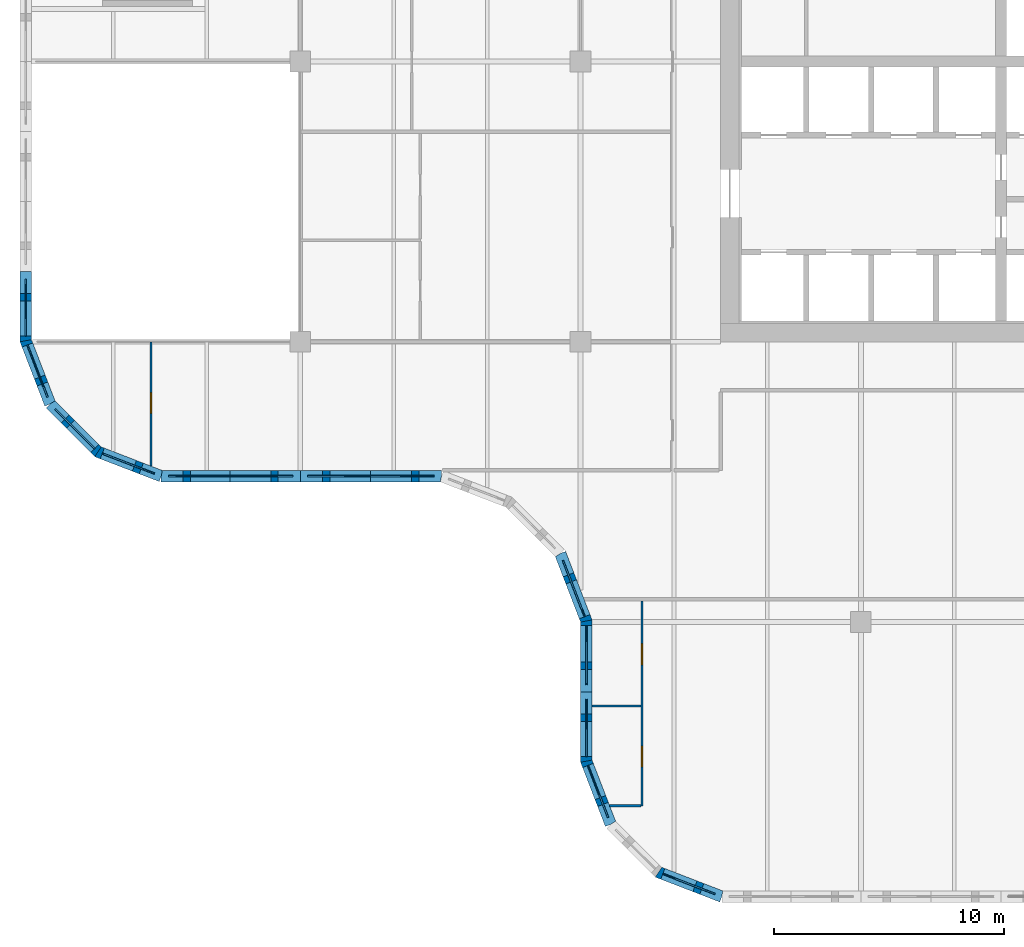
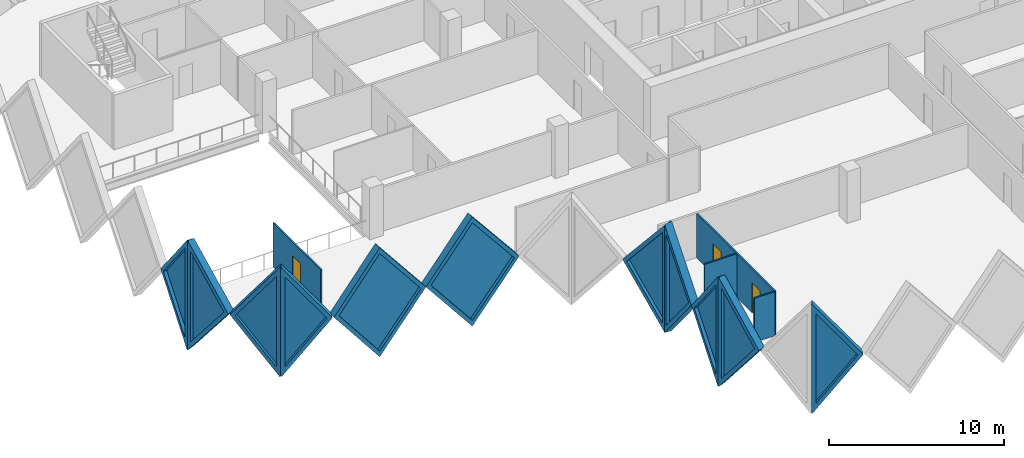
# One storey, part 4 of 19: 15 walls, 11 plates, 3 doors, 14 openings.
"""IFC4 building model written with IfcOpenShell, lengths in metres."""

from ifc_helpers import new_model, si_unit, direction, frame, frame_2d, origin, place, context, subcontext, project, spatial, polyline, rectangle, outline, extrude, faceted_brep, source, transform, mapped, material, layer, layer_set, type_object, element, fill, save


model = new_model("IFC4")

# Units and contexts
model_context = context("Model", 3, precision=1e-05, world=origin(), true_north=direction((0.0, 1.0)))
body_context = subcontext(model_context, "Body", "Model", "MODEL_VIEW")
ifc_project = project(units=[si_unit("LENGTHUNIT", "METRE"), si_unit("AREAUNIT", "SQUARE_METRE"), si_unit("VOLUMEUNIT", "CUBIC_METRE"), si_unit("PLANEANGLEUNIT", "RADIAN"), si_unit("MASSUNIT", "GRAM", prefix="KILO")], contexts=[model_context])

# Site, building, storey
site_placement = place(None, origin())
site = spatial("IfcSite", under=ifc_project, at=site_placement, CompositionType="ELEMENT")
building_placement = place(site_placement, origin())
building = spatial("IfcBuilding", under=site, at=building_placement, Name="Tessera Gate Towers", CompositionType="ELEMENT")
storey_placement = place(building_placement, frame((0.0, 0.0, 72.39990234375)))
storey = spatial("IfcBuildingStorey", under=building, at=storey_placement, Name="L17", CompositionType="ELEMENT", Elevation=72.39990234375)

# Wall, opening, door
ifc_material_1 = material(Name="Glass", Category="glass")
ifc_layer_1 = layer(ifc_material_1, 0.10009765625)
ifc_layer_set_1 = layer_set([ifc_layer_1], Name="GLAZED PARTITION 100")
wall_type_1 = type_object("IfcWallType", Name="GLAZED PARTITION 100", PredefinedType="PARTITIONING", material=ifc_layer_set_1)
wall_1_placement = place(storey_placement, frame((5.699951171875, 18.990234375, 0.0), z_axis=(0.0, 0.0, 1.0), x_axis=(0.0, 1.0, 0.0)))
wall_1 = element("IfcWall", 1, at=wall_1_placement, inside=storey, type_object=wall_type_1, Name="T1-L17-PW-021", PredefinedType="PARTITIONING", context=body_context, shape_type="SweptSolid", body=[
    extrude(rectangle(XDim=5.40966796875, YDim=0.10009765625, at=frame_2d((2.704833984375, 0.0))), origin(), (0.0, 0.0, 1.0), 3.067138671875),
])
shared_shape_1 = source(origin(), body_context, "Body", "SweptSolid", [
    extrude(rectangle(XDim=0.89990234375, YDim=2.10009765625, at=frame_2d((0.449951171875, 1.050048828125))), frame((0.0, 0.06005859375, 0.0), z_axis=(0.0, -1.0, 0.0), x_axis=(1.0, 0.0, 0.0)), (0.0, 0.0, 1.0), 0.1201171875),
])
opening_1_placement = place(wall_1_placement, frame((2.300048828125, 0.0, 0.0)))
opening_1 = element("IfcOpeningElement", 2, at=opening_1_placement, cuts=wall_1, Name="Opening D690-A06-05", PredefinedType="OPENING", context=body_context, shape_type="MappedRepresentation", body=[
    mapped(shared_shape_1, transform((0.0, 0.0, 0.0), scale=1.0)),
])
ifc_material_2 = material(Name="Glass in aluminium frame", Category="aluminium")
door_type_1 = type_object("IfcDoorType", Name="GLAZED DOOR 900 NOT RATED", OperationType="NOTDEFINED", PredefinedType="DOOR", material=ifc_material_2)
shared_shape_2 = source(origin(), body_context, "Body", "SweptSolid", [
    extrude(rectangle(XDim=0.89990234375, YDim=2.10009765625, at=frame_2d((0.449951171875, 1.050048828125))), frame((0.0, 0.02490234375, 0.0), z_axis=(0.0, -1.0, 0.0), x_axis=(1.0, 0.0, 0.0)), (0.0, 0.0, 1.0), 0.050048828125),
])
door_1_placement = place(opening_1_placement, origin())
door_1 = element("IfcDoor", 3, at=door_1_placement, inside=storey, type_object=door_type_1, Name="T1-L17-PD-013", OperationType="SINGLE_SWING_LEFT", OverallHeight=2.10009765625, OverallWidth=0.89990234375, PredefinedType="DOOR", context=body_context, shape_type="MappedRepresentation", body=[
    mapped(shared_shape_2, transform((0.0, 0.0, 0.0), scale=1.0)),
])
fill(opening_1, door_1)

# Wall
ifc_material_3 = material(Name="Gypsum board on steel studs", Category="steel")
ifc_layer_2 = layer(ifc_material_3, 0.10009765625)
ifc_layer_set_2 = layer_set([ifc_layer_2], Name="PARTITION 100")
wall_type_2 = type_object("IfcWallType", Name="PARTITION 100", PredefinedType="PARTITIONING", material=ifc_layer_set_2)
wall_2_placement = place(storey_placement, frame((25.668701171875, 4.199951171875, 0.0), z_axis=(0.0, 0.0, 1.0), x_axis=(1.0, 0.0, 0.0)))
element("IfcWall", 4, at=wall_2_placement, inside=storey, type_object=wall_type_2, Name="T1-L17-PW-003", PredefinedType="PARTITIONING", context=body_context, shape_type="SweptSolid", body=[
    extrude(rectangle(XDim=1.355224609375, YDim=0.10009765625, at=frame_2d((0.677734375, 0.0))), origin(), (0.0, 0.0, 1.0), 3.067138671875),
])

# Wall, openings, doors
wall_3_placement = place(storey_placement, frame((27.074951171875, 4.199951171875, 0.0), z_axis=(0.0, 0.0, 1.0), x_axis=(0.0, 1.0, 0.0)))
wall_3 = element("IfcWall", 5, at=wall_3_placement, inside=storey, type_object=wall_type_2, Name="T1-L17-PW-004", PredefinedType="PARTITIONING", context=body_context, shape_type="SweptSolid", body=[
    extrude(rectangle(XDim=8.924072265625, YDim=0.10009765625, at=frame_2d((4.4619140625, 0.0))), origin(), (0.0, 0.0, 1.0), 3.067138671875),
])
opening_2_placement = place(wall_3_placement, frame((6.147705078125, 0.0, 0.0)))
opening_2 = element("IfcOpeningElement", 6, at=opening_2_placement, cuts=wall_3, Name="Opening D190-A06-04", PredefinedType="OPENING", context=body_context, shape_type="MappedRepresentation", body=[
    mapped(shared_shape_1, transform((0.0, 0.0, 0.0), scale=1.0)),
])
opening_3_placement = place(wall_3_placement, frame((1.699951171875, 0.0, 0.0)))
opening_3 = element("IfcOpeningElement", 7, at=opening_3_placement, cuts=wall_3, Name="Opening D190-A06-06", PredefinedType="OPENING", context=body_context, shape_type="MappedRepresentation", body=[
    mapped(shared_shape_1, transform((0.0, 0.0, 0.0), scale=1.0)),
])
ifc_material_4 = material(Name="Timber door leaf in steel frame", Category="steel")
door_type_2 = type_object("IfcDoorType", Name="INTERNAL DOOR 900 NOT RATED", OperationType="NOTDEFINED", PredefinedType="DOOR", material=ifc_material_4)
door_2_placement = place(opening_2_placement, origin())
door_2 = element("IfcDoor", 8, at=door_2_placement, inside=storey, type_object=door_type_2, Name="T1-L17-PD-007", OperationType="SINGLE_SWING_LEFT", OverallHeight=2.10009765625, OverallWidth=0.89990234375, PredefinedType="DOOR", context=body_context, shape_type="MappedRepresentation", body=[
    mapped(shared_shape_2, transform((0.0, 0.0, 0.0), scale=1.0)),
])
fill(opening_2, door_2)
door_3_placement = place(opening_3_placement, origin())
door_3 = element("IfcDoor", 9, at=door_3_placement, inside=storey, type_object=door_type_2, Name="T1-L17-PD-014", OperationType="SINGLE_SWING_LEFT", OverallHeight=2.10009765625, OverallWidth=0.89990234375, PredefinedType="DOOR", context=body_context, shape_type="MappedRepresentation", body=[
    mapped(shared_shape_2, transform((0.0, 0.0, 0.0), scale=1.0)),
])
fill(opening_3, door_3)

# Wall
wall_4_placement = place(storey_placement, frame((24.89990234375, 8.548095703125, 0.0), z_axis=(0.0, 0.0, 1.0), x_axis=(1.0, 0.0, 0.0)))
element("IfcWall", 10, at=wall_4_placement, inside=storey, type_object=wall_type_2, Name="T1-L17-PW-008", PredefinedType="PARTITIONING", context=body_context, shape_type="SweptSolid", body=[
    extrude(rectangle(XDim=2.1240234375, YDim=0.10009765625, at=frame_2d((1.06201171875, 0.0))), origin(), (0.0, 0.0, 1.0), 3.067138671875),
])

# Wall, opening, plate
ifc_material_5 = material(Name="Precast concrete C60/75 white", Category="concrete")
ifc_layer_3 = layer(ifc_material_5, 0.5)
ifc_layer_set_3 = layer_set([ifc_layer_3], Name="TS3 corner tessera")
wall_type_3 = type_object("IfcWallType", Name="TS3 corner tessera", PredefinedType="SOLIDWALL", material=ifc_layer_set_3)
shared_shape_3 = source(origin(), body_context, "Body", "Brep", [
    faceted_brep([(3.00341796875, -0.25, 0.0), (3.050048828125, -0.25, 0.06005859375), (3.050048828125, -0.25, 7.539794921875), (3.00341796875, -0.25, 7.599853515625), (0.0, -0.25, 3.7998046875), (0.0, 0.25, 3.7998046875), (2.956787109375, 0.25, 7.541015625), (2.956787109375, 0.25, 0.058837890625), (3.00341796875, 0.000244140625, 0.0), (3.00341796875, 0.000244140625, 7.599853515625)], [[[0, 1, 2, 3, 4]], [[5, 6, 7]], [[1, 0, 8]], [[9, 3, 2]], [[6, 5, 4, 3, 9]], [[5, 7, 8, 0, 4]], [[1, 8, 7, 6, 9, 2]]]),
])
wall_5_placement = place(storey_placement, frame((0.25, 27.449951171875, -3.7998046875), z_axis=(0.0, 0.0, 1.0), x_axis=(0.0, -1.0, 0.0)))
wall_5 = element("IfcWall", 11, at=wall_5_placement, inside=storey, type_object=wall_type_3, Name="Precast corner tessera T1 TS3-0373", PredefinedType="SOLIDWALL", context=body_context, shape_type="MappedRepresentation", body=[
    mapped(shared_shape_3, transform((0.0, 0.0, 0.0), scale=1.0)),
])
shared_shape_4 = source(origin(), body_context, "Body", "SweptSolid", [
    extrude(outline(polyline([(2.803466796875, 6.943603515625), (0.318603515625, 3.7998046875), (2.803466796875, 0.656005859375), (2.803466796875, 6.943603515625)])), frame((0.0, 0.260009765625, 0.0), z_axis=(0.0, -1.0, 0.0), x_axis=(1.0, 0.0, 0.0)), (0.0, 0.0, 1.0), 0.52001953125),
])
opening_4_placement = place(wall_5_placement, origin())
opening_4 = element("IfcOpeningElement", 12, at=opening_4_placement, cuts=wall_5, Name="Opening T1-PL2-0503", PredefinedType="OPENING", context=body_context, shape_type="MappedRepresentation", body=[
    mapped(shared_shape_4, transform((0.0, 0.0, 0.0), scale=1.0)),
])
ifc_material_6 = material(Name="Low-e laminated glass", Category="glass")
ifc_layer_4 = layer(ifc_material_6, 0.06005859375)
ifc_layer_set_4 = layer_set([ifc_layer_4], Name="PL2 rhombic pane")
plate_type = type_object("IfcPlateType", Name="PL2 rhombic pane", PredefinedType="SHEET", material=ifc_layer_set_4)
shared_shape_5 = source(origin(), body_context, "Body", "SweptSolid", [
    extrude(outline(polyline([(2.803466796875, 6.943603515625), (0.318603515625, 3.7998046875), (2.803466796875, 0.656005859375), (2.803466796875, 6.943603515625)])), frame((0.0, 0.030029296875, 0.0), z_axis=(0.0, -1.0, 0.0), x_axis=(1.0, 0.0, 0.0)), (0.0, 0.0, 1.0), 0.06005859375),
])
plate_1_placement = place(opening_4_placement, origin())
plate_1 = element("IfcPlate", 13, at=plate_1_placement, inside=storey, type_object=plate_type, Name="Glass pane T1 PL2-0503", PredefinedType="SHEET", context=body_context, shape_type="MappedRepresentation", body=[
    mapped(shared_shape_5, transform((0.0, 0.0, 0.0), scale=1.0)),
])
fill(opening_4, plate_1)

wall_6_placement = place(storey_placement, frame((24.64990234375, 9.14990234375, -3.7998046875), z_axis=(0.0, 0.0, 1.0), x_axis=(0.0, -1.0, 0.0)))
wall_6 = element("IfcWall", 14, at=wall_6_placement, inside=storey, type_object=wall_type_3, Name="Precast corner tessera T1 TS3-0381", PredefinedType="SOLIDWALL", context=body_context, shape_type="MappedRepresentation", body=[
    mapped(shared_shape_3, transform((0.0, 0.0, 0.0), scale=1.0)),
])
opening_5_placement = place(wall_6_placement, origin())
opening_5 = element("IfcOpeningElement", 15, at=opening_5_placement, cuts=wall_6, Name="Opening T1-PL2-0513", PredefinedType="OPENING", context=body_context, shape_type="MappedRepresentation", body=[
    mapped(shared_shape_4, transform((0.0, 0.0, 0.0), scale=1.0)),
])
plate_2_placement = place(opening_5_placement, origin())
plate_2 = element("IfcPlate", 16, at=plate_2_placement, inside=storey, type_object=plate_type, Name="Glass pane T1 PL2-0513", PredefinedType="SHEET", context=body_context, shape_type="MappedRepresentation", body=[
    mapped(shared_shape_5, transform((0.0, 0.0, 0.0), scale=1.0)),
])
fill(opening_5, plate_2)

shared_shape_6 = source(origin(), body_context, "Body", "Brep", [
    faceted_brep([(0.046630859375, -0.25, 0.0), (2.9970703125, -0.25, 3.7998046875), (0.046630859375, -0.25, 7.599853515625), (0.0, -0.25, 7.541015625), (0.0, -0.25, 0.058837890625), (0.09326171875, 0.25, 7.539794921875), (2.9443359375, 0.25, 3.867919921875), (2.9443359375, 0.25, 3.731689453125), (0.09326171875, 0.25, 0.06005859375), (2.9970703125, 0.00048828125, 3.7998046875), (0.046630859375, 0.0, 0.0), (0.046630859375, 0.0, 7.599853515625)], [[[0, 1, 2, 3, 4]], [[5, 6, 7, 8]], [[8, 7, 9, 1, 0, 10]], [[6, 5, 11, 2, 1, 9]], [[3, 2, 11]], [[10, 0, 4]], [[8, 10, 4, 3, 11, 5]], [[9, 7, 6]]]),
])
wall_7_placement = place(storey_placement, frame((0.233154296875, 24.489990234375, -3.7998046875), z_axis=(0.0, 0.0, 1.0), x_axis=(0.359901446078, -0.932990326376, 0.0)))
wall_7 = element("IfcWall", 17, at=wall_7_placement, inside=storey, type_object=wall_type_3, Name="Precast corner tessera T1 TS3-0374", PredefinedType="SOLIDWALL", context=body_context, shape_type="MappedRepresentation", body=[
    mapped(shared_shape_6, transform((0.0, 0.0, 0.0), scale=1.0)),
])
shared_shape_7 = source(origin(), body_context, "Body", "SweptSolid", [
    extrude(outline(polyline([(0.24658203125, 0.6650390625), (2.6806640625, 3.7998046875), (0.24658203125, 6.9345703125), (0.24658203125, 0.6650390625)])), frame((0.0, 0.260009765625, 0.0), z_axis=(0.0, -1.0, 0.0), x_axis=(1.0, 0.0, 0.0)), (0.0, 0.0, 1.0), 0.52001953125),
])
opening_6_placement = place(wall_7_placement, origin())
opening_6 = element("IfcOpeningElement", 18, at=opening_6_placement, cuts=wall_7, Name="Opening T1-PL2-0504", PredefinedType="OPENING", context=body_context, shape_type="MappedRepresentation", body=[
    mapped(shared_shape_7, transform((0.0, 0.0, 0.0), scale=1.0)),
])
shared_shape_8 = source(origin(), body_context, "Body", "SweptSolid", [
    extrude(outline(polyline([(0.24658203125, 0.6650390625), (2.6806640625, 3.7998046875), (0.24658203125, 6.9345703125), (0.24658203125, 0.6650390625)])), frame((0.0, 0.030029296875, 0.0), z_axis=(0.0, -1.0, 0.0), x_axis=(1.0, 0.0, 0.0)), (0.0, 0.0, 1.0), 0.06005859375),
])
plate_3_placement = place(opening_6_placement, origin())
plate_3 = element("IfcPlate", 19, at=plate_3_placement, inside=storey, type_object=plate_type, Name="Glass pane T1 PL2-0504", PredefinedType="SHEET", context=body_context, shape_type="MappedRepresentation", body=[
    mapped(shared_shape_8, transform((0.0, 0.0, 0.0), scale=1.0)),
])
fill(opening_6, plate_3)

wall_8_placement = place(storey_placement, frame((24.63330078125, 6.18994140625, -3.7998046875), z_axis=(0.0, 0.0, 1.0), x_axis=(0.359901446078, -0.932990326376, 0.0)))
wall_8 = element("IfcWall", 20, at=wall_8_placement, inside=storey, type_object=wall_type_3, Name="Precast corner tessera T1 TS3-0382", PredefinedType="SOLIDWALL", context=body_context, shape_type="MappedRepresentation", body=[
    mapped(shared_shape_6, transform((0.0, 0.0, 0.0), scale=1.0)),
])
opening_7_placement = place(wall_8_placement, origin())
opening_7 = element("IfcOpeningElement", 21, at=opening_7_placement, cuts=wall_8, Name="Opening T1-PL2-0514", PredefinedType="OPENING", context=body_context, shape_type="MappedRepresentation", body=[
    mapped(shared_shape_7, transform((0.0, 0.0, 0.0), scale=1.0)),
])
plate_4_placement = place(opening_7_placement, origin())
plate_4 = element("IfcPlate", 22, at=plate_4_placement, inside=storey, type_object=plate_type, Name="Glass pane T1 PL2-0514", PredefinedType="SHEET", context=body_context, shape_type="MappedRepresentation", body=[
    mapped(shared_shape_8, transform((0.0, 0.0, 0.0), scale=1.0)),
])
fill(opening_7, plate_4)

shared_shape_9 = source(origin(), body_context, "Body", "Brep", [
    faceted_brep([(2.944091796875, -0.25, 0.0), (2.9970703125, -0.25, 0.068115234375), (2.9970703125, -0.25, 7.53173828125), (2.944091796875, -0.25, 7.599853515625), (0.0, -0.25, 3.7998046875), (0.052978515625, 0.25, 3.8681640625), (2.89111328125, 0.25, 7.53173828125), (2.89111328125, 0.25, 0.068115234375), (0.052978515625, 0.25, 3.7314453125), (2.944091796875, 0.000244140625, 0.0), (2.944091796875, 0.000244140625, 7.599853515625), (0.0, 0.0, 3.7998046875)], [[[0, 1, 2, 3, 4]], [[5, 6, 7, 8]], [[1, 0, 9]], [[10, 3, 2]], [[6, 5, 11, 4, 3, 10]], [[8, 7, 9, 0, 4, 11]], [[8, 11, 5]], [[1, 9, 7, 6, 10, 2]]]),
])
wall_9_placement = place(storey_placement, frame((1.31201171875, 21.69384765625, -3.7998046875), z_axis=(0.0, 0.0, 1.0), x_axis=(0.707066050402, -0.707147509625, 0.0)))
wall_9 = element("IfcWall", 23, at=wall_9_placement, inside=storey, type_object=wall_type_3, Name="Precast corner tessera T1 TS3-0375", PredefinedType="SOLIDWALL", context=body_context, shape_type="MappedRepresentation", body=[
    mapped(shared_shape_9, transform((0.0, 0.0, 0.0), scale=1.0)),
])
shared_shape_10 = source(origin(), body_context, "Body", "SweptSolid", [
    extrude(outline(polyline([(2.744140625, 6.93359375), (0.316162109375, 3.7998046875), (2.744140625, 0.666259765625), (2.744140625, 6.93359375)])), frame((0.0, 0.260009765625, 0.0), z_axis=(0.0, -1.0, 0.0), x_axis=(1.0, 0.0, 0.0)), (0.0, 0.0, 1.0), 0.52001953125),
])
opening_8_placement = place(wall_9_placement, origin())
opening_8 = element("IfcOpeningElement", 24, at=opening_8_placement, cuts=wall_9, Name="Opening T1-PL2-0505", PredefinedType="OPENING", context=body_context, shape_type="MappedRepresentation", body=[
    mapped(shared_shape_10, transform((0.0, 0.0, 0.0), scale=1.0)),
])
shared_shape_11 = source(origin(), body_context, "Body", "SweptSolid", [
    extrude(outline(polyline([(2.744140625, 6.93359375), (0.316162109375, 3.7998046875), (2.744140625, 0.666259765625), (2.744140625, 6.93359375)])), frame((0.0, 0.030029296875, 0.0), z_axis=(0.0, -1.0, 0.0), x_axis=(1.0, 0.0, 0.0)), (0.0, 0.0, 1.0), 0.06005859375),
])
plate_5_placement = place(opening_8_placement, origin())
plate_5 = element("IfcPlate", 25, at=plate_5_placement, inside=storey, type_object=plate_type, Name="Glass pane T1 PL2-0505", PredefinedType="SHEET", context=body_context, shape_type="MappedRepresentation", body=[
    mapped(shared_shape_11, transform((0.0, 0.0, 0.0), scale=1.0)),
])
fill(opening_8, plate_5)

ifc_material_7 = material(Name="Precast concrete C60/75 white", Category="concrete")
ifc_layer_5 = layer(ifc_material_7, 0.5)
ifc_layer_set_5 = layer_set([ifc_layer_5], Name="TS1 tessera")
wall_type_4 = type_object("IfcWallType", Name="TS1 tessera", PredefinedType="SOLIDWALL", material=ifc_layer_set_5)
shared_shape_12 = source(origin(), body_context, "Body", "Brep", [
    faceted_brep([(3.00341796875, -0.25, 0.0), (6.053466796875, -0.25, 3.7998046875), (3.00341796875, -0.25, 7.599853515625), (0.0, -0.25, 3.7998046875), (0.046630859375, 0.25, 3.858642578125), (3.00341796875, 0.25, 7.599853515625), (6.053466796875, 0.25, 3.7998046875), (3.00341796875, 0.25, 0.0), (0.046630859375, 0.25, 3.740966796875), (0.0, 0.0, 3.7998046875)], [[[0, 1, 2, 3]], [[4, 5, 6, 7, 8]], [[7, 6, 1, 0]], [[6, 5, 2, 1]], [[5, 4, 9, 3, 2]], [[8, 7, 0, 3, 9]], [[8, 9, 4]]]),
])
wall_10_placement = place(storey_placement, frame((6.146484375, 18.550048828125, -3.7998046875), z_axis=(0.0, 0.0, 1.0), x_axis=(1.0, 0.0, 0.0)))
wall_10 = element("IfcWall", 26, at=wall_10_placement, inside=storey, type_object=wall_type_4, Name="Precast tessera T1 TS1-0251", PredefinedType="SOLIDWALL", context=body_context, shape_type="MappedRepresentation", body=[
    mapped(shared_shape_12, transform((0.0, 0.0, 0.0), scale=1.0)),
])
shared_shape_13 = source(origin(), body_context, "Body", "SweptSolid", [
    extrude(outline(polyline([(3.0048828125, 0.401123046875), (5.73291015625, 3.7998046875), (3.0048828125, 7.19873046875), (0.318603515625, 3.7998046875), (3.0048828125, 0.401123046875)])), frame((0.0, 0.260009765625, 0.0), z_axis=(0.0, -1.0, 0.0), x_axis=(1.0, 0.0, 0.0)), (0.0, 0.0, 1.0), 0.52001953125),
])
opening_9_placement = place(wall_10_placement, origin())
opening_9 = element("IfcOpeningElement", 27, at=opening_9_placement, cuts=wall_10, Name="Opening T1-PL2-0507", PredefinedType="OPENING", context=body_context, shape_type="MappedRepresentation", body=[
    mapped(shared_shape_13, transform((0.0, 0.0, 0.0), scale=1.0)),
])
shared_shape_14 = source(origin(), body_context, "Body", "SweptSolid", [
    extrude(outline(polyline([(3.0048828125, 0.401123046875), (5.73291015625, 3.7998046875), (3.0048828125, 7.19873046875), (0.318603515625, 3.7998046875), (3.0048828125, 0.401123046875)])), frame((0.0, 0.030029296875, 0.0), z_axis=(0.0, -1.0, 0.0), x_axis=(1.0, 0.0, 0.0)), (0.0, 0.0, 1.0), 0.06005859375),
])
plate_6_placement = place(opening_9_placement, origin())
plate_6 = element("IfcPlate", 28, at=plate_6_placement, inside=storey, type_object=plate_type, Name="Glass pane T1 PL2-0507", PredefinedType="SHEET", context=body_context, shape_type="MappedRepresentation", body=[
    mapped(shared_shape_14, transform((0.0, 0.0, 0.0), scale=1.0)),
])
fill(opening_9, plate_6)

shared_shape_15 = source(origin(), body_context, "Body", "Brep", [
    faceted_brep([(0.052978515625, -0.25, 0.0), (3.00341796875, -0.25, 3.7998046875), (0.052978515625, -0.25, 7.599853515625), (0.0, -0.25, 7.531494140625), (0.0, -0.25, 0.068359375), (0.10595703125, 0.25, 7.53173828125), (2.95703125, 0.25, 3.859619140625), (2.95703125, 0.25, 3.739990234375), (0.10595703125, 0.25, 0.068115234375), (3.00341796875, 0.00048828125, 3.7998046875), (0.052978515625, 0.0, 0.0), (0.052978515625, 0.0, 7.599853515625)], [[[0, 1, 2, 3, 4]], [[5, 6, 7, 8]], [[8, 7, 9, 1, 0, 10]], [[6, 5, 11, 2, 1, 9]], [[3, 2, 11]], [[10, 0, 4]], [[8, 10, 4, 3, 11, 5]], [[9, 7, 6]]]),
])
wall_11_placement = place(storey_placement, frame((3.34423828125, 19.630859375, -3.7998046875), z_axis=(0.0, 0.0, 1.0), x_axis=(0.933007896601, -0.359855894603, 0.0)))
wall_11 = element("IfcWall", 29, at=wall_11_placement, inside=storey, type_object=wall_type_3, Name="Precast corner tessera T1 TS3-0376", PredefinedType="SOLIDWALL", context=body_context, shape_type="MappedRepresentation", body=[
    mapped(shared_shape_15, transform((0.0, 0.0, 0.0), scale=1.0)),
])
shared_shape_16 = source(origin(), body_context, "Body", "SweptSolid", [
    extrude(outline(polyline([(0.2529296875, 0.6650390625), (2.68701171875, 3.7998046875), (0.2529296875, 6.9345703125), (0.2529296875, 0.6650390625)])), frame((0.0, 0.260009765625, 0.0), z_axis=(0.0, -1.0, 0.0), x_axis=(1.0, 0.0, 0.0)), (0.0, 0.0, 1.0), 0.52001953125),
])
opening_10_placement = place(wall_11_placement, origin())
opening_10 = element("IfcOpeningElement", 30, at=opening_10_placement, cuts=wall_11, Name="Opening T1-PL2-0506", PredefinedType="OPENING", context=body_context, shape_type="MappedRepresentation", body=[
    mapped(shared_shape_16, transform((0.0, 0.0, 0.0), scale=1.0)),
])
shared_shape_17 = source(origin(), body_context, "Body", "SweptSolid", [
    extrude(outline(polyline([(0.2529296875, 0.6650390625), (2.68701171875, 3.7998046875), (0.2529296875, 6.9345703125), (0.2529296875, 0.6650390625)])), frame((0.0, 0.030029296875, 0.0), z_axis=(0.0, -1.0, 0.0), x_axis=(1.0, 0.0, 0.0)), (0.0, 0.0, 1.0), 0.06005859375),
])
plate_7_placement = place(opening_10_placement, origin())
plate_7 = element("IfcPlate", 31, at=plate_7_placement, inside=storey, type_object=plate_type, Name="Glass pane T1 PL2-0506", PredefinedType="SHEET", context=body_context, shape_type="MappedRepresentation", body=[
    mapped(shared_shape_17, transform((0.0, 0.0, 0.0), scale=1.0)),
])
fill(opening_10, plate_7)

wall_12_placement = place(storey_placement, frame((27.744384765625, 1.3310546875, -3.7998046875), z_axis=(0.0, 0.0, 1.0), x_axis=(0.932970071518, -0.359953949349, 0.0)))
wall_12 = element("IfcWall", 32, at=wall_12_placement, inside=storey, type_object=wall_type_3, Name="Precast corner tessera T1 TS3-0384", PredefinedType="SOLIDWALL", context=body_context, shape_type="MappedRepresentation", body=[
    mapped(shared_shape_15, transform((0.0, 0.0, 0.0), scale=1.0)),
])
opening_11_placement = place(wall_12_placement, origin())
opening_11 = element("IfcOpeningElement", 33, at=opening_11_placement, cuts=wall_12, Name="Opening T1-PL2-0516", PredefinedType="OPENING", context=body_context, shape_type="MappedRepresentation", body=[
    mapped(shared_shape_16, transform((0.0, 0.0, 0.0), scale=1.0)),
])
plate_8_placement = place(opening_11_placement, origin())
plate_8 = element("IfcPlate", 34, at=plate_8_placement, inside=storey, type_object=plate_type, Name="Glass pane T1 PL2-0516", PredefinedType="SHEET", context=body_context, shape_type="MappedRepresentation", body=[
    mapped(shared_shape_17, transform((0.0, 0.0, 0.0), scale=1.0)),
])
fill(opening_11, plate_8)

shared_shape_18 = source(origin(), body_context, "Body", "Brep", [
    faceted_brep([(3.050048828125, -0.25, 0.0), (6.10009765625, -0.25, 3.74267578125), (6.10009765625, -0.25, 3.85693359375), (3.050048828125, -0.25, 7.599853515625), (0.0, -0.25, 3.7998046875), (0.0, 0.25, 3.7998046875), (3.050048828125, 0.25, 7.599853515625), (6.146484375, 0.25, 3.7998046875), (3.050048828125, 0.25, 0.0), (6.146484375, -0.000244140625, 3.7998046875)], [[[0, 1, 2, 3, 4]], [[5, 6, 7, 8]], [[8, 7, 9, 1, 0]], [[7, 6, 3, 2, 9]], [[6, 5, 4, 3]], [[5, 8, 0, 4]], [[1, 9, 2]]]),
])
wall_13_placement = place(storey_placement, frame((12.199951171875, 18.550048828125, -3.7998046875), z_axis=(0.0, 0.0, 1.0), x_axis=(1.0, 0.0, 0.0)))
wall_13 = element("IfcWall", 35, at=wall_13_placement, inside=storey, type_object=wall_type_4, Name="Precast tessera T1 TS1-0252", PredefinedType="SOLIDWALL", context=body_context, shape_type="MappedRepresentation", body=[
    mapped(shared_shape_18, transform((0.0, 0.0, 0.0), scale=1.0)),
])
shared_shape_19 = source(origin(), body_context, "Body", "SweptSolid", [
    extrude(outline(polyline([(3.051513671875, 0.3974609375), (5.823974609375, 3.7998046875), (3.051513671875, 7.202392578125), (0.320556640625, 3.7998046875), (3.051513671875, 0.3974609375)])), frame((0.0, 0.260009765625, 0.0), z_axis=(0.0, -1.0, 0.0), x_axis=(1.0, 0.0, 0.0)), (0.0, 0.0, 1.0), 0.52001953125),
])
opening_12_placement = place(wall_13_placement, origin())
opening_12 = element("IfcOpeningElement", 36, at=opening_12_placement, cuts=wall_13, Name="Opening T1-PL2-0508", PredefinedType="OPENING", context=body_context, shape_type="MappedRepresentation", body=[
    mapped(shared_shape_19, transform((0.0, 0.0, 0.0), scale=1.0)),
])
shared_shape_20 = source(origin(), body_context, "Body", "SweptSolid", [
    extrude(outline(polyline([(3.051513671875, 0.3974609375), (5.823974609375, 3.7998046875), (3.051513671875, 7.202392578125), (0.320556640625, 3.7998046875), (3.051513671875, 0.3974609375)])), frame((0.0, 0.030029296875, 0.0), z_axis=(0.0, -1.0, 0.0), x_axis=(1.0, 0.0, 0.0)), (0.0, 0.0, 1.0), 0.06005859375),
])
plate_9_placement = place(opening_12_placement, origin())
plate_9 = element("IfcPlate", 37, at=plate_9_placement, inside=storey, type_object=plate_type, Name="Glass pane T1 PL2-0508", PredefinedType="SHEET", context=body_context, shape_type="MappedRepresentation", body=[
    mapped(shared_shape_20, transform((0.0, 0.0, 0.0), scale=1.0)),
])
fill(opening_12, plate_9)

shared_shape_21 = source(origin(), body_context, "Body", "Brep", [
    faceted_brep([(3.10302734375, -0.25, 7.543701171875), (0.052978515625, -0.25, 3.86376953125), (0.052978515625, -0.25, 3.73583984375), (3.10302734375, -0.25, 0.05615234375), (0.0, 0.25, 3.7998046875), (3.1494140625, 0.25, 7.599853515625), (3.196044921875, 0.25, 7.542724609375), (3.196044921875, 0.25, 0.05712890625), (3.1494140625, 0.25, 0.0), (3.1494140625, -0.000244140625, 0.0), (3.1494140625, -0.000244140625, 7.599853515625), (0.0, 0.0, 3.7998046875)], [[[0, 1, 2, 3]], [[4, 5, 6, 7, 8]], [[8, 7, 9]], [[6, 5, 10]], [[5, 4, 11, 1, 0, 10]], [[4, 8, 9, 3, 2, 11]], [[11, 2, 1]], [[3, 9, 7, 6, 10, 0]]]),
])
wall_14_placement = place(storey_placement, frame((23.5166015625, 15.18505859375, -3.7998046875), z_axis=(0.0, 0.0, 1.0), x_axis=(0.359864468756, -0.933004589553, 0.0)))
wall_14 = element("IfcWall", 38, at=wall_14_placement, inside=storey, type_object=wall_type_3, Name="Precast corner tessera T1 TS3-0379", PredefinedType="SOLIDWALL", context=body_context, shape_type="MappedRepresentation", body=[
    mapped(shared_shape_21, transform((0.0, 0.0, 0.0), scale=1.0)),
])
shared_shape_22 = source(origin(), body_context, "Body", "SweptSolid", [
    extrude(outline(polyline([(2.949462890625, 6.966796875), (0.32470703125, 3.7998046875), (2.949462890625, 0.633056640625), (2.949462890625, 6.966796875)])), frame((0.0, 0.260009765625, 0.0), z_axis=(0.0, -1.0, 0.0), x_axis=(1.0, 0.0, 0.0)), (0.0, 0.0, 1.0), 0.52001953125),
])
opening_13_placement = place(wall_14_placement, origin())
opening_13 = element("IfcOpeningElement", 39, at=opening_13_placement, cuts=wall_14, Name="Opening T1-PL2-0511", PredefinedType="OPENING", context=body_context, shape_type="MappedRepresentation", body=[
    mapped(shared_shape_22, transform((0.0, 0.0, 0.0), scale=1.0)),
])
shared_shape_23 = source(origin(), body_context, "Body", "SweptSolid", [
    extrude(outline(polyline([(2.949462890625, 6.966796875), (0.32470703125, 3.7998046875), (2.949462890625, 0.633056640625), (2.949462890625, 6.966796875)])), frame((0.0, 0.030029296875, 0.0), z_axis=(0.0, -1.0, 0.0), x_axis=(1.0, 0.0, 0.0)), (0.0, 0.0, 1.0), 0.06005859375),
])
plate_10_placement = place(opening_13_placement, origin())
plate_10 = element("IfcPlate", 40, at=plate_10_placement, inside=storey, type_object=plate_type, Name="Glass pane T1 PL2-0511", PredefinedType="SHEET", context=body_context, shape_type="MappedRepresentation", body=[
    mapped(shared_shape_23, transform((0.0, 0.0, 0.0), scale=1.0)),
])
fill(opening_13, plate_10)

shared_shape_24 = source(origin(), body_context, "Body", "Brep", [
    faceted_brep([(0.09326171875, -0.25, 0.05712890625), (3.14306640625, -0.25, 3.7998046875), (0.09326171875, -0.25, 7.542724609375), (0.0, 0.25, 7.543701171875), (0.046630859375, 0.25, 7.599853515625), (3.14306640625, 0.25, 3.7998046875), (0.046630859375, 0.25, 0.0), (0.0, 0.25, 0.05615234375), (0.046630859375, 0.0, 0.0), (0.046630859375, 0.0, 7.599853515625)], [[[0, 1, 2]], [[3, 4, 5, 6, 7]], [[6, 5, 1, 0, 8]], [[5, 4, 9, 2, 1]], [[4, 3, 9]], [[7, 6, 8]], [[7, 8, 0, 2, 9, 3]]]),
])
wall_15_placement = place(storey_placement, frame((24.64990234375, 12.293212890625, -3.7998046875), z_axis=(0.0, 0.0, 1.0), x_axis=(0.0, -1.0, 0.0)))
wall_15 = element("IfcWall", 41, at=wall_15_placement, inside=storey, type_object=wall_type_3, Name="Precast corner tessera T1 TS3-0380", PredefinedType="SOLIDWALL", context=body_context, shape_type="MappedRepresentation", body=[
    mapped(shared_shape_24, transform((0.0, 0.0, 0.0), scale=1.0)),
])
shared_shape_25 = source(origin(), body_context, "Body", "SweptSolid", [
    extrude(outline(polyline([(0.24658203125, 0.64111328125), (2.82080078125, 3.7998046875), (0.24658203125, 6.958740234375), (0.24658203125, 0.64111328125)])), frame((0.0, 0.260009765625, 0.0), z_axis=(0.0, -1.0, 0.0), x_axis=(1.0, 0.0, 0.0)), (0.0, 0.0, 1.0), 0.52001953125),
])
opening_14_placement = place(wall_15_placement, origin())
opening_14 = element("IfcOpeningElement", 42, at=opening_14_placement, cuts=wall_15, Name="Opening T1-PL2-0512", PredefinedType="OPENING", context=body_context, shape_type="MappedRepresentation", body=[
    mapped(shared_shape_25, transform((0.0, 0.0, 0.0), scale=1.0)),
])
shared_shape_26 = source(origin(), body_context, "Body", "SweptSolid", [
    extrude(outline(polyline([(0.24658203125, 0.64111328125), (2.82080078125, 3.7998046875), (0.24658203125, 6.958740234375), (0.24658203125, 0.64111328125)])), frame((0.0, 0.030029296875, 0.0), z_axis=(0.0, -1.0, 0.0), x_axis=(1.0, 0.0, 0.0)), (0.0, 0.0, 1.0), 0.06005859375),
])
plate_11_placement = place(opening_14_placement, origin())
plate_11 = element("IfcPlate", 43, at=plate_11_placement, inside=storey, type_object=plate_type, Name="Glass pane T1 PL2-0512", PredefinedType="SHEET", context=body_context, shape_type="MappedRepresentation", body=[
    mapped(shared_shape_26, transform((0.0, 0.0, 0.0), scale=1.0)),
])
fill(opening_14, plate_11)

save(model, "model.ifc")
